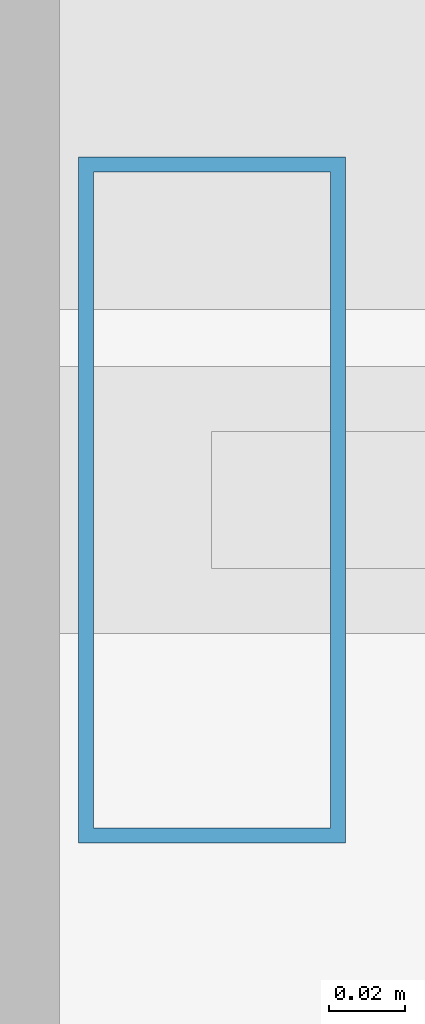
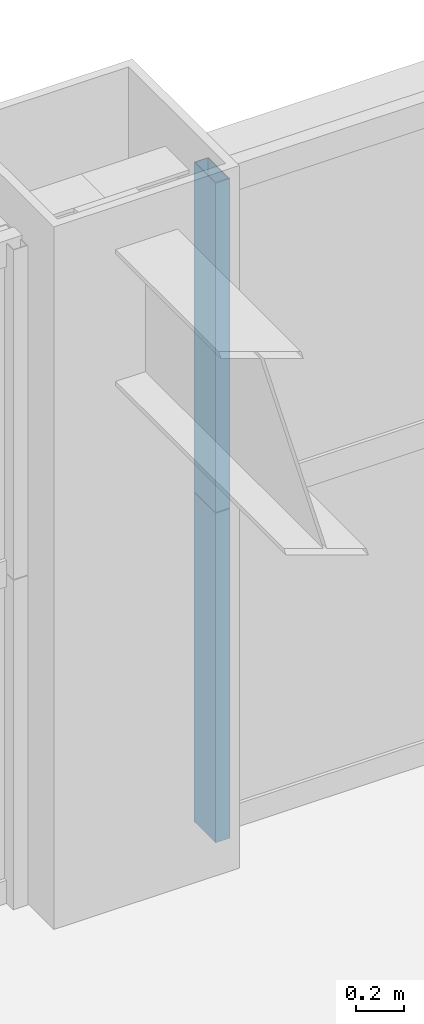
# One storey, part 29 of 41: 2 members, 1 element without a shape of its own.
"""IFC4 building model written with IfcOpenShell, lengths in metres."""

from ifc_helpers import new_model, si_unit, direction, frame, origin, origin_2d, place, context, subcontext, project, spatial, hollow_rectangle, extrude, source, transform, mapped, material, layer, layer_set, material_profile, profile_set, type_object, element, aggregate, save


model = new_model("IFC4")

# Units and contexts
model_context = context("Model", 3, precision=1e-05, world=origin(), true_north=direction((0.0, 1.0)))
body_context = subcontext(model_context, "Body", "Model", "MODEL_VIEW")
ifc_project = project(units=[si_unit("LENGTHUNIT", "METRE"), si_unit("AREAUNIT", "SQUARE_METRE"), si_unit("VOLUMEUNIT", "CUBIC_METRE"), si_unit("PLANEANGLEUNIT", "RADIAN"), si_unit("MASSUNIT", "GRAM", prefix="KILO"), si_unit("THERMODYNAMICTEMPERATUREUNIT", "KELVIN"), si_unit("POWERUNIT", "WATT")], contexts=[model_context])

# Site, building, storey
site_placement = place(None, origin())
site = spatial("IfcSite", under=ifc_project, at=site_placement, CompositionType="ELEMENT")
building_placement = place(site_placement, origin())
building = spatial("IfcBuilding", under=site, at=building_placement, Name="Yuzanri Waterfront Tower", CompositionType="ELEMENT")
storey_placement = place(building_placement, frame((0.0, 0.0, 152.39990234375)))
storey = spatial("IfcBuildingStorey", under=building, at=storey_placement, Name="L40", CompositionType="ELEMENT", Elevation=152.39990234375)

# Curtain wall, members
ifc_material_1 = material(Name="Anodized Architectural Bronze", Category="metal")
ifc_layer = layer(ifc_material_1, 0.159912109375)
ifc_layer_set = layer_set([ifc_layer], Name="Anodized Architectural Bronze")
curtain_wall_type = type_object("IfcCurtainWallType", Name="Anodized Bronze Hotel Upper-Tier Solar-Control Unitized Curtain Wall 7800", PredefinedType="NOTDEFINED", material=ifc_layer_set)
curtain_wall_placement = place(storey_placement, origin())
curtain_wall = element("IfcCurtainWall", 1, at=curtain_wall_placement, inside=storey, type_object=curtain_wall_type, Name="L40 Curtain Wall CW-L40-NR", PredefinedType="NOTDEFINED")
ifc_material_2 = material(Name="Anodized Architectural Bronze", Category="metal")
ifc_material_profile = material_profile(ifc_material_2, hollow_rectangle(XDim=0.070068359375, YDim=0.179931640625, WallThickness=0.00390625, at=origin_2d()), Name="CWM 70x180")
ifc_profile_set = profile_set([ifc_material_profile], Name="Anodized Architectural Bronze")
member_type = type_object("IfcMemberType", Name="Anodized Bronze Standard Curtain-Wall Mullion 70x180", PredefinedType="MULLION", material=ifc_profile_set)
shared_shape = source(origin(), body_context, "Body", "SweptSolid", [
    extrude(hollow_rectangle(XDim=0.070068359375, YDim=0.179931640625, WallThickness=0.00390625, at=origin_2d()), origin(), (0.0, 0.0, 1.0), 1.68798828125),
])
member_1_placement = place(storey_placement, frame((37.489990234375, 49.25, 0.0), z_axis=(0.0, 0.0, 1.0), x_axis=(1.0, 0.0, 0.0)))
member_1 = element("IfcMember", 2, at=member_1_placement, type_object=member_type, Name="CW-L40-NR Lower Mullion 00", PredefinedType="MULLION", context=body_context, shape_type="MappedRepresentation", body=[
    mapped(shared_shape, transform((0.0, 0.0, 0.0), scale=1.0)),
])
member_2_placement = place(storey_placement, frame((37.489990234375, 49.25, 1.692138671875), z_axis=(0.0, 0.0, 1.0), x_axis=(1.0, 0.0, 0.0)))
member_2 = element("IfcMember", 3, at=member_2_placement, type_object=member_type, Name="CW-L40-NR Upper Mullion 00", PredefinedType="MULLION", context=body_context, shape_type="MappedRepresentation", body=[
    mapped(shared_shape, transform((0.0, 0.0, 0.0), scale=1.0)),
])
aggregate(curtain_wall, [member_1, member_2])

save(model, "model.ifc")
